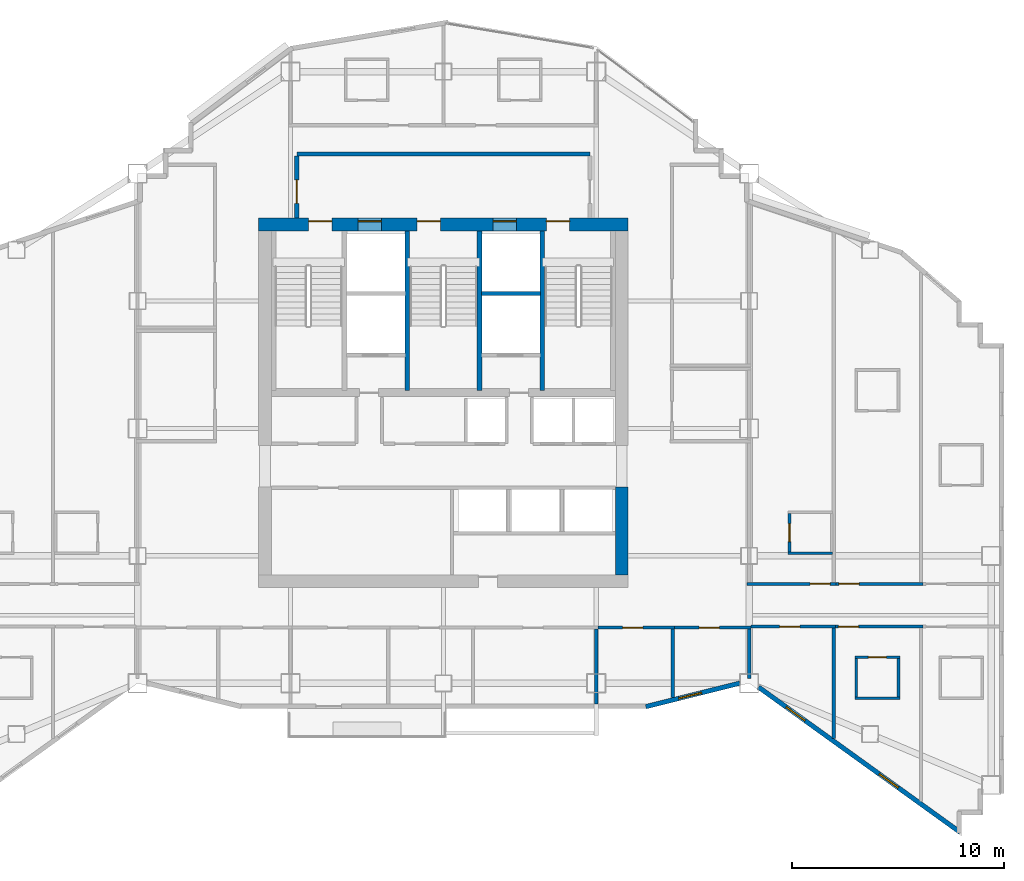
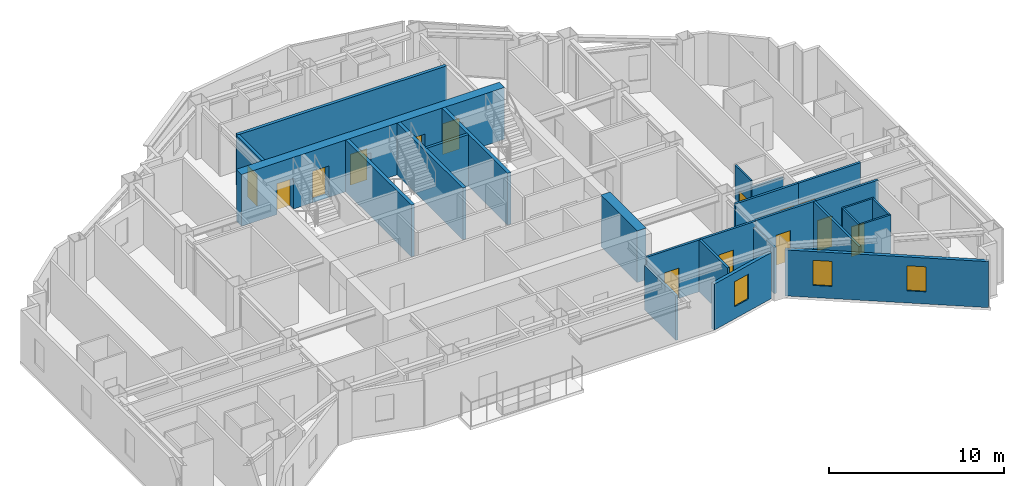
# One storey, part 7 of 12: 26 walls, 14 doors, 3 windows, 17 openings.
"""IFC4 building model written with IfcOpenShell, lengths in metres."""

from ifc_helpers import new_model, si_unit, direction, frame, frame_2d, origin, place, context, subcontext, project, spatial, rectangle, extrude, material, layer, layer_set, type_object, element, fill, save


model = new_model("IFC4")

# Units and contexts
model_context = context("Model", 3, precision=1e-05, world=origin(), true_north=direction((0.0, 1.0)))
body_context = subcontext(model_context, "Body", "Model", "MODEL_VIEW")
ifc_project = project(units=[si_unit("LENGTHUNIT", "METRE"), si_unit("AREAUNIT", "SQUARE_METRE"), si_unit("VOLUMEUNIT", "CUBIC_METRE"), si_unit("PLANEANGLEUNIT", "RADIAN"), si_unit("MASSUNIT", "GRAM", prefix="KILO")], contexts=[model_context])

# Site, building, storey
site_placement = place(None, origin())
site = spatial("IfcSite", under=ifc_project, at=site_placement, CompositionType="ELEMENT")
building_placement = place(site_placement, origin())
building = spatial("IfcBuilding", under=site, at=building_placement, Name="Haolan Belvedere Tower", CompositionType="ELEMENT")
storey_placement = place(building_placement, frame((0.0, 0.0, 195.60009765625)))
storey = spatial("IfcBuildingStorey", under=building, at=storey_placement, Name="L49", CompositionType="ELEMENT", Elevation=195.60009765625)

# Wall, openings, doors
ifc_material_1 = material(Name="Concrete C60/75", Category="concrete")
ifc_layer_1 = layer(ifc_material_1, 0.60009765625, Name="Concrete C60/75")
ifc_layer_set_1 = layer_set([ifc_layer_1], Name="Concrete C60/75")
wall_type_1 = type_object("IfcWallType", Name="WL-CORE-600", PredefinedType="SHEAR", material=ifc_layer_set_1)
wall_1_placement = place(storey_placement, frame((29.699951171875, 43.199951171875, 0.0), z_axis=(0.0, 0.0, 1.0), x_axis=(1.0, 0.0, 0.0)))
wall_1 = element("IfcWall", 1, at=wall_1_placement, inside=storey, type_object=wall_type_1, Name="L49 central core north shear wall", PredefinedType="SHEAR", context=body_context, shape_type="SweptSolid", body=[
    extrude(rectangle(XDim=17.400146484375, YDim=0.60009765625, at=frame_2d((8.7001953125, 0.0))), origin(), (0.0, 0.0, 1.0), 3.619873046875),
])
opening_1_placement = place(wall_1_placement, frame((2.35009765625, 0.0, 0.0)))
opening_1 = element("IfcOpeningElement", 2, at=opening_1_placement, cuts=wall_1, Name="Opening FD-03", PredefinedType="OPENING", context=body_context, shape_type="SweptSolid", body=[
    extrude(rectangle(XDim=1.10009765625, YDim=2.14990234375, at=frame_2d((0.550048828125, 1.074951171875))), frame((0.0, 0.31005859375, 0.0), z_axis=(0.0, -1.0, 0.0), x_axis=(1.0, 0.0, 0.0)), (0.0, 0.0, 1.0), 0.6201171875),
])
opening_2_placement = place(wall_1_placement, frame((7.4599609375, 0.0, 0.0)))
opening_2 = element("IfcOpeningElement", 3, at=opening_2_placement, cuts=wall_1, Name="Opening FD-03", PredefinedType="OPENING", context=body_context, shape_type="SweptSolid", body=[
    extrude(rectangle(XDim=1.10009765625, YDim=2.14990234375, at=frame_2d((0.550048828125, 1.074951171875))), frame((0.0, 0.31005859375, 0.0), z_axis=(0.0, -1.0, 0.0), x_axis=(1.0, 0.0, 0.0)), (0.0, 0.0, 1.0), 0.6201171875),
])
opening_3_placement = place(wall_1_placement, frame((13.550048828125, 0.0, 0.0)))
opening_3 = element("IfcOpeningElement", 4, at=opening_3_placement, cuts=wall_1, Name="Opening FD-03", PredefinedType="OPENING", context=body_context, shape_type="SweptSolid", body=[
    extrude(rectangle(XDim=1.10009765625, YDim=2.14990234375, at=frame_2d((0.550048828125, 1.074951171875))), frame((0.0, 0.31005859375, 0.0), z_axis=(0.0, -1.0, 0.0), x_axis=(1.0, 0.0, 0.0)), (0.0, 0.0, 1.0), 0.6201171875),
])
opening_4_placement = place(wall_1_placement, frame((4.679931640625, 0.0, 0.0)))
opening_4 = element("IfcOpeningElement", 5, at=opening_4_placement, cuts=wall_1, Name="Opening LD-01", PredefinedType="OPENING", context=body_context, shape_type="SweptSolid", body=[
    extrude(rectangle(XDim=1.10009765625, YDim=2.199951171875, at=frame_2d((0.550048828125, 1.10009765625))), frame((0.0, 0.31005859375, 0.0), z_axis=(0.0, -1.0, 0.0), x_axis=(1.0, 0.0, 0.0)), (0.0, 0.0, 1.0), 0.6201171875),
])
opening_5_placement = place(wall_1_placement, frame((11.0400390625, 0.0, 0.0)))
opening_5 = element("IfcOpeningElement", 6, at=opening_5_placement, cuts=wall_1, Name="Opening LD-01", PredefinedType="OPENING", context=body_context, shape_type="SweptSolid", body=[
    extrude(rectangle(XDim=1.10009765625, YDim=2.199951171875, at=frame_2d((0.550048828125, 1.10009765625))), frame((0.0, 0.31005859375, 0.0), z_axis=(0.0, -1.0, 0.0), x_axis=(1.0, 0.0, 0.0)), (0.0, 0.0, 1.0), 0.6201171875),
])
ifc_material_2 = material(Name="Galvanised fire-rated steel", Category="steel")
door_type_1 = type_object("IfcDoorType", Name="DR-FD90-1100", OperationType="NOTDEFINED", PredefinedType="DOOR", material=ifc_material_2)
door_1_placement = place(opening_1_placement, origin())
door_1 = element("IfcDoor", 7, at=door_1_placement, inside=storey, type_object=door_type_1, Name="L49 door CD-L49-ST1", OperationType="SINGLE_SWING_LEFT", OverallHeight=2.14990234375, OverallWidth=1.10009765625, PredefinedType="DOOR", context=body_context, shape_type="SweptSolid", body=[
    extrude(rectangle(XDim=1.10009765625, YDim=2.14990234375, at=frame_2d((0.550048828125, 1.074951171875))), frame((0.0, 0.18505859375, 0.0), z_axis=(0.0, -1.0, 0.0), x_axis=(1.0, 0.0, 0.0)), (0.0, 0.0, 1.0), 0.050048828125),
])
fill(opening_1, door_1)
door_2_placement = place(opening_2_placement, origin())
door_2 = element("IfcDoor", 8, at=door_2_placement, inside=storey, type_object=door_type_1, Name="L49 door CD-L49-ST3", OperationType="SINGLE_SWING_LEFT", OverallHeight=2.14990234375, OverallWidth=1.10009765625, PredefinedType="DOOR", context=body_context, shape_type="SweptSolid", body=[
    extrude(rectangle(XDim=1.10009765625, YDim=2.14990234375, at=frame_2d((0.550048828125, 1.074951171875))), frame((0.0, 0.18505859375, 0.0), z_axis=(0.0, -1.0, 0.0), x_axis=(1.0, 0.0, 0.0)), (0.0, 0.0, 1.0), 0.050048828125),
])
fill(opening_2, door_2)
door_3_placement = place(opening_3_placement, origin())
door_3 = element("IfcDoor", 9, at=door_3_placement, inside=storey, type_object=door_type_1, Name="L49 door CD-L49-ST2", OperationType="SINGLE_SWING_RIGHT", OverallHeight=2.14990234375, OverallWidth=1.10009765625, PredefinedType="DOOR", context=body_context, shape_type="SweptSolid", body=[
    extrude(rectangle(XDim=1.10009765625, YDim=2.14990234375, at=frame_2d((0.550048828125, 1.074951171875))), frame((0.0, 0.18505859375, 0.0), z_axis=(0.0, -1.0, 0.0), x_axis=(1.0, 0.0, 0.0)), (0.0, 0.0, 1.0), 0.050048828125),
])
fill(opening_3, door_3)
ifc_material_3 = material(Name="Brushed champagne stainless steel 316L", Category="steel")
door_type_2 = type_object("IfcDoorType", Name="DR-LIFT-1100", OperationType="SLIDING_TO_LEFT", PredefinedType="DOOR", material=ifc_material_3)
door_4_placement = place(opening_4_placement, origin())
door_4 = element("IfcDoor", 10, at=door_4_placement, inside=storey, type_object=door_type_2, Name="L49 door LD-L49-FF1", OperationType="SLIDING_TO_LEFT", OverallHeight=2.199951171875, OverallWidth=1.10009765625, PredefinedType="DOOR", context=body_context, shape_type="SweptSolid", body=[
    extrude(rectangle(XDim=1.10009765625, YDim=2.199951171875, at=frame_2d((0.550048828125, 1.10009765625))), frame((0.0, 0.18505859375, 0.0), z_axis=(0.0, -1.0, 0.0), x_axis=(1.0, 0.0, 0.0)), (0.0, 0.0, 1.0), 0.050048828125),
])
fill(opening_4, door_4)
door_5_placement = place(opening_5_placement, origin())
door_5 = element("IfcDoor", 11, at=door_5_placement, inside=storey, type_object=door_type_2, Name="L49 door LD-L49-FF2", OperationType="SLIDING_TO_LEFT", OverallHeight=2.199951171875, OverallWidth=1.10009765625, PredefinedType="DOOR", context=body_context, shape_type="SweptSolid", body=[
    extrude(rectangle(XDim=1.10009765625, YDim=2.199951171875, at=frame_2d((0.550048828125, 1.10009765625))), frame((0.0, 0.18505859375, 0.0), z_axis=(0.0, -1.0, 0.0), x_axis=(1.0, 0.0, 0.0)), (0.0, 0.0, 1.0), 0.050048828125),
])
fill(opening_5, door_5)

# Wall
wall_2_placement = place(storey_placement, frame((46.800048828125, 26.699951171875, 0.0), z_axis=(0.0, 0.0, 1.0), x_axis=(0.0, 1.0, 0.0)))
element("IfcWall", 12, at=wall_2_placement, inside=storey, type_object=wall_type_1, Name="L49 central core shear wall ES", PredefinedType="SHEAR", context=body_context, shape_type="SweptSolid", body=[
    extrude(rectangle(XDim=4.150146484375, YDim=0.60009765625, at=frame_2d((2.0751953125, 0.0))), origin(), (0.0, 0.0, 1.0), 3.619873046875),
])

# Wall, opening, window
ifc_material_4 = material(Name="Precast concrete C40/50", Category="concrete")
ifc_layer_2 = layer(ifc_material_4, 0.219970703125, Name="Precast concrete C40/50")
ifc_layer_set_2 = layer_set([ifc_layer_2], Name="Precast concrete C40/50")
wall_type_2 = type_object("IfcWallType", Name="WL-EXT-220", PredefinedType="SOLIDWALL", material=ifc_layer_set_2)
wall_3_placement = place(storey_placement, frame((47.93310546875, 20.49658203125, 0.0), z_axis=(0.0, 0.0, 1.0), x_axis=(0.970142500145, 0.242535625036, 0.0)))
wall_3 = element("IfcWall", 13, at=wall_3_placement, inside=storey, type_object=wall_type_2, Name="L49 pale-metal exterior spandrel wall 2.1", PredefinedType="SOLIDWALL", context=body_context, shape_type="SweptSolid", body=[
    extrude(rectangle(XDim=4.56103515625, YDim=0.219970703125, at=frame_2d((2.280517578125, 0.0))), origin(), (0.0, 0.0, 1.0), 3.21484375),
])
opening_6_placement = place(wall_3_placement, frame((1.60009765625, 0.0, 0.85009765625)))
opening_6 = element("IfcOpeningElement", 14, at=opening_6_placement, cuts=wall_3, Name="Opening W-03", PredefinedType="OPENING", context=body_context, shape_type="SweptSolid", body=[
    extrude(rectangle(XDim=1.10009765625, YDim=1.75, at=frame_2d((0.550048828125, 0.875))), frame((0.0, 0.119873046875, 0.0), z_axis=(0.0, -1.0, 0.0), x_axis=(1.0, 0.0, 0.0)), (0.0, 0.0, 1.0), 0.239990234375),
])
ifc_material_5 = material(Name="Anodised aluminium 6063-T6 and Low-E glass", Category="aluminium")
window_type = type_object("IfcWindowType", Name="WN-DECO-Z3", PartitioningType="SINGLE_PANEL", PredefinedType="WINDOW", material=ifc_material_5)
window_1_placement = place(opening_6_placement, origin())
window_1 = element("IfcWindow", 15, at=window_1_placement, inside=storey, type_object=window_type, Name="L49 Art Deco chevron window 1", OverallHeight=1.75, OverallWidth=1.10009765625, PartitioningType="SINGLE_PANEL", PredefinedType="WINDOW", context=body_context, shape_type="SweptSolid", body=[
    extrude(rectangle(XDim=1.10009765625, YDim=1.75, at=frame_2d((0.550048828125, 0.875))), frame((0.0, 0.030029296875, 0.0), z_axis=(0.0, -1.0, 0.0), x_axis=(1.0, 0.0, 0.0)), (0.0, 0.0, 1.0), 0.06005859375),
])
fill(opening_6, window_1)

# Wall, openings, windows
wall_4_placement = place(storey_placement, frame((53.241943359375, 21.417236328125, 0.0), z_axis=(0.0, 0.0, 1.0), x_axis=(0.811534737332, -0.58430417601, 0.0)))
wall_4 = element("IfcWall", 16, at=wall_4_placement, inside=storey, type_object=wall_type_2, Name="L49 pale-metal exterior spandrel wall 3.1", PredefinedType="SOLIDWALL", context=body_context, shape_type="SweptSolid", body=[
    extrude(rectangle(XDim=11.697265625, YDim=0.219970703125, at=frame_2d((5.8486328125, 0.0))), origin(), (0.0, 0.0, 1.0), 3.21484375),
])
opening_7_placement = place(wall_4_placement, frame((1.60009765625, 0.0, 0.85009765625)))
opening_7 = element("IfcOpeningElement", 17, at=opening_7_placement, cuts=wall_4, Name="Opening W-03", PredefinedType="OPENING", context=body_context, shape_type="SweptSolid", body=[
    extrude(rectangle(XDim=1.10009765625, YDim=1.75, at=frame_2d((0.550048828125, 0.875))), frame((0.0, 0.119873046875, 0.0), z_axis=(0.0, -1.0, 0.0), x_axis=(1.0, 0.0, 0.0)), (0.0, 0.0, 1.0), 0.239990234375),
])
opening_8_placement = place(wall_4_placement, frame((7.0, 0.0, 0.85009765625)))
opening_8 = element("IfcOpeningElement", 18, at=opening_8_placement, cuts=wall_4, Name="Opening W-03", PredefinedType="OPENING", context=body_context, shape_type="SweptSolid", body=[
    extrude(rectangle(XDim=1.10009765625, YDim=1.75, at=frame_2d((0.550048828125, 0.875))), frame((0.0, 0.119873046875, 0.0), z_axis=(0.0, -1.0, 0.0), x_axis=(1.0, 0.0, 0.0)), (0.0, 0.0, 1.0), 0.239990234375),
])
window_2_placement = place(opening_7_placement, origin())
window_2 = element("IfcWindow", 19, at=window_2_placement, inside=storey, type_object=window_type, Name="L49 Art Deco chevron window 1", OverallHeight=1.75, OverallWidth=1.10009765625, PartitioningType="SINGLE_PANEL", PredefinedType="WINDOW", context=body_context, shape_type="SweptSolid", body=[
    extrude(rectangle(XDim=1.10009765625, YDim=1.75, at=frame_2d((0.550048828125, 0.875))), frame((0.0, 0.030029296875, 0.0), z_axis=(0.0, -1.0, 0.0), x_axis=(1.0, 0.0, 0.0)), (0.0, 0.0, 1.0), 0.06005859375),
])
fill(opening_7, window_2)
window_3_placement = place(opening_8_placement, origin())
window_3 = element("IfcWindow", 20, at=window_3_placement, inside=storey, type_object=window_type, Name="L49 Art Deco chevron window 2", OverallHeight=1.75, OverallWidth=1.10009765625, PartitioningType="SINGLE_PANEL", PredefinedType="WINDOW", context=body_context, shape_type="SweptSolid", body=[
    extrude(rectangle(XDim=1.10009765625, YDim=1.75, at=frame_2d((0.550048828125, 0.875))), frame((0.0, 0.030029296875, 0.0), z_axis=(0.0, -1.0, 0.0), x_axis=(1.0, 0.0, 0.0)), (0.0, 0.0, 1.0), 0.06005859375),
])
fill(opening_8, window_3)

# Wall
ifc_material_6 = material(Name="Concrete C40/50", Category="concrete")
ifc_layer_3 = layer(ifc_material_6, 0.199951171875, Name="Concrete C40/50")
ifc_layer_set_3 = layer_set([ifc_layer_3], Name="Concrete C40/50")
wall_type_3 = type_object("IfcWallType", Name="WL-FIRE-200", PredefinedType="SOLIDWALL", material=ifc_layer_set_3)
wall_5_placement = place(storey_placement, frame((31.5, 46.52001953125, 0.0), z_axis=(0.0, 0.0, 1.0), x_axis=(1.0, 0.0, 0.0)))
element("IfcWall", 21, at=wall_5_placement, inside=storey, type_object=wall_type_3, Name="L49 interior partition IW-L49-FFL-N", PredefinedType="SOLIDWALL", context=body_context, shape_type="SweptSolid", body=[
    extrude(rectangle(XDim=13.800048828125, YDim=0.199951171875, at=frame_2d((6.89990234375, 0.0))), origin(), (0.0, 0.0, 1.0), 3.619873046875),
])

# Wall, opening, door
wall_6_placement = place(storey_placement, frame((31.5, 43.5, 0.0), z_axis=(0.0, 0.0, 1.0), x_axis=(0.0, 1.0, 0.0)))
wall_6 = element("IfcWall", 22, at=wall_6_placement, inside=storey, type_object=wall_type_3, Name="L49 interior partition IW-L49-FFL-W", PredefinedType="SOLIDWALL", context=body_context, shape_type="SweptSolid", body=[
    extrude(rectangle(XDim=2.93505859375, YDim=0.199951171875, at=frame_2d((1.467529296875, 0.0))), origin(), (0.0, 0.0, 1.0), 3.619873046875),
])
opening_9_placement = place(wall_6_placement, frame((1.800048828125, 0.0, 0.0), z_axis=(0.0, 0.0, 1.0), x_axis=(-1.0, 0.0, 0.0)))
opening_9 = element("IfcOpeningElement", 23, at=opening_9_placement, cuts=wall_6, Name="Opening FD-03", PredefinedType="OPENING", context=body_context, shape_type="SweptSolid", body=[
    extrude(rectangle(XDim=1.10009765625, YDim=2.14990234375, at=frame_2d((0.550048828125, 1.074951171875))), frame((0.0, 0.10986328125, 0.0), z_axis=(0.0, -1.0, 0.0), x_axis=(1.0, 0.0, 0.0)), (0.0, 0.0, 1.0), 0.219970703125),
])
door_6_placement = place(opening_9_placement, origin())
door_6 = element("IfcDoor", 24, at=door_6_placement, inside=storey, type_object=door_type_1, Name="L49 door ID-L49-FFL-DW", OperationType="SINGLE_SWING_LEFT", OverallHeight=2.14990234375, OverallWidth=1.10009765625, PredefinedType="DOOR", context=body_context, shape_type="SweptSolid", body=[
    extrude(rectangle(XDim=1.10009765625, YDim=2.14990234375, at=frame_2d((0.550048828125, 1.074951171875))), frame((0.0, 0.02490234375, 0.0), z_axis=(0.0, -1.0, 0.0), x_axis=(1.0, 0.0, 0.0)), (0.0, 0.0, 1.0), 0.050048828125),
])
fill(opening_9, door_6)

# Wall
ifc_material_7 = material(Name="Double gypsum acoustic stud partition", Category="masonry")
ifc_layer_4 = layer(ifc_material_7, 0.14990234375, Name="Double gypsum acoustic stud partition")
ifc_layer_set_4 = layer_set([ifc_layer_4], Name="Double gypsum acoustic stud partition")
wall_type_4 = type_object("IfcWallType", Name="WL-PART-150", PredefinedType="PARTITIONING", material=ifc_layer_set_4)
wall_7_placement = place(storey_placement, frame((45.60009765625, 20.612060546875, 0.0), z_axis=(0.0, 0.0, 1.0), x_axis=(0.0, 1.0, 0.0)))
element("IfcWall", 25, at=wall_7_placement, inside=storey, type_object=wall_type_4, Name="L49 interior partition IW-L49-KS5-E", PredefinedType="PARTITIONING", context=body_context, shape_type="SweptSolid", body=[
    extrude(rectangle(XDim=3.5478515625, YDim=0.14990234375, at=frame_2d((1.77392578125, 0.0))), origin(), (0.0, 0.0, 1.0), 3.10498046875),
])

# Wall, opening, door
wall_8_placement = place(storey_placement, frame((45.681884765625, 24.219970703125, 0.0), z_axis=(0.0, 0.0, 1.0), x_axis=(1.0, 0.0, 0.0)))
wall_8 = element("IfcWall", 26, at=wall_8_placement, inside=storey, type_object=wall_type_4, Name="L49 interior partition IW-L49-KS6-N", PredefinedType="PARTITIONING", context=body_context, shape_type="SweptSolid", body=[
    extrude(rectangle(XDim=3.59814453125, YDim=0.14990234375, at=frame_2d((1.799072265625, 0.0))), origin(), (0.0, 0.0, 1.0), 3.619873046875),
])
opening_10_placement = place(wall_8_placement, frame((2.113037109375, 0.0, 0.0), z_axis=(0.0, 0.0, 1.0), x_axis=(-1.0, 0.0, 0.0)))
opening_10 = element("IfcOpeningElement", 27, at=opening_10_placement, cuts=wall_8, Name="Opening ID-03", PredefinedType="OPENING", context=body_context, shape_type="SweptSolid", body=[
    extrude(rectangle(XDim=0.949951171875, YDim=2.1201171875, at=frame_2d((0.47509765625, 1.06005859375))), frame((0.0, 0.0849609375, 0.0), z_axis=(0.0, -1.0, 0.0), x_axis=(1.0, 0.0, 0.0)), (0.0, 0.0, 1.0), 0.169921875),
])
ifc_material_8 = material(Name="Painted solid-core timber", Category="wood")
door_type_3 = type_object("IfcDoorType", Name="DR-INT-950", OperationType="NOTDEFINED", PredefinedType="DOOR", material=ifc_material_8)
door_7_placement = place(opening_10_placement, origin())
door_7 = element("IfcDoor", 28, at=door_7_placement, inside=storey, type_object=door_type_3, Name="L49 door ID-L49-KS6", OperationType="SINGLE_SWING_RIGHT", OverallHeight=2.1201171875, OverallWidth=0.949951171875, PredefinedType="DOOR", context=body_context, shape_type="SweptSolid", body=[
    extrude(rectangle(XDim=0.949951171875, YDim=2.1201171875, at=frame_2d((0.47509765625, 1.06005859375))), frame((0.0, 0.02490234375, 0.0), z_axis=(0.0, -1.0, 0.0), x_axis=(1.0, 0.0, 0.0)), (0.0, 0.0, 1.0), 0.050048828125),
])
fill(opening_10, door_7)

# Wall
wall_9_placement = place(storey_placement, frame((49.199951171875, 20.91845703125, 0.0), z_axis=(0.0, 0.0, 1.0), x_axis=(0.0, 1.0, 0.0)))
element("IfcWall", 29, at=wall_9_placement, inside=storey, type_object=wall_type_4, Name="L49 interior partition IW-L49-KS6-E", PredefinedType="PARTITIONING", context=body_context, shape_type="SweptSolid", body=[
    extrude(rectangle(XDim=3.241455078125, YDim=0.14990234375, at=frame_2d((1.62060546875, 0.0))), origin(), (0.0, 0.0, 1.0), 3.619873046875),
])

# Wall, opening, door
wall_10_placement = place(storey_placement, frame((49.281982421875, 24.219970703125, 0.0), z_axis=(0.0, 0.0, 1.0), x_axis=(1.0, 0.0, 0.0)))
wall_10 = element("IfcWall", 30, at=wall_10_placement, inside=storey, type_object=wall_type_4, Name="L49 interior partition IW-L49-KS7-N", PredefinedType="PARTITIONING", context=body_context, shape_type="SweptSolid", body=[
    extrude(rectangle(XDim=3.597900390625, YDim=0.14990234375, at=frame_2d((1.798828125, 0.0))), origin(), (0.0, 0.0, 1.0), 3.619873046875),
])
opening_11_placement = place(wall_10_placement, frame((2.113037109375, 0.0, 0.0), z_axis=(0.0, 0.0, 1.0), x_axis=(-1.0, 0.0, 0.0)))
opening_11 = element("IfcOpeningElement", 31, at=opening_11_placement, cuts=wall_10, Name="Opening ID-03", PredefinedType="OPENING", context=body_context, shape_type="SweptSolid", body=[
    extrude(rectangle(XDim=0.949951171875, YDim=2.1201171875, at=frame_2d((0.47509765625, 1.06005859375))), frame((0.0, 0.0849609375, 0.0), z_axis=(0.0, -1.0, 0.0), x_axis=(1.0, 0.0, 0.0)), (0.0, 0.0, 1.0), 0.169921875),
])
door_8_placement = place(opening_11_placement, origin())
door_8 = element("IfcDoor", 32, at=door_8_placement, inside=storey, type_object=door_type_3, Name="L49 door ID-L49-KS7", OperationType="SINGLE_SWING_LEFT", OverallHeight=2.1201171875, OverallWidth=0.949951171875, PredefinedType="DOOR", context=body_context, shape_type="SweptSolid", body=[
    extrude(rectangle(XDim=0.949951171875, YDim=2.1201171875, at=frame_2d((0.47509765625, 1.06005859375))), frame((0.0, 0.02490234375, 0.0), z_axis=(0.0, -1.0, 0.0), x_axis=(1.0, 0.0, 0.0)), (0.0, 0.0, 1.0), 0.050048828125),
])
fill(opening_11, door_8)

# Wall
wall_11_placement = place(storey_placement, frame((52.800048828125, 21.818603515625, 0.0), z_axis=(0.0, 0.0, 1.0), x_axis=(0.0, 1.0, 0.0)))
element("IfcWall", 33, at=wall_11_placement, inside=storey, type_object=wall_type_4, Name="L49 interior partition IW-L49-KS7-E", PredefinedType="PARTITIONING", context=body_context, shape_type="SweptSolid", body=[
    extrude(rectangle(XDim=2.34130859375, YDim=0.14990234375, at=frame_2d((1.170654296875, 0.0))), origin(), (0.0, 0.0, 1.0), 3.21484375),
])

# Wall, opening, door
wall_12_placement = place(storey_placement, frame((52.699951171875, 26.280029296875, 0.0), z_axis=(0.0, 0.0, 1.0), x_axis=(1.0, 0.0, 0.0)))
wall_12 = element("IfcWall", 34, at=wall_12_placement, inside=storey, type_object=wall_type_4, Name="L49 interior partition IW-L49-T4N1-S", PredefinedType="PARTITIONING", context=body_context, shape_type="SweptSolid", body=[
    extrude(rectangle(XDim=4.179931640625, YDim=0.14990234375, at=frame_2d((2.08984375, 0.0))), origin(), (0.0, 0.0, 1.0), 3.619873046875),
])
opening_12_placement = place(wall_12_placement, frame((2.966064453125, 0.0, 0.0)))
opening_12 = element("IfcOpeningElement", 35, at=opening_12_placement, cuts=wall_12, Name="Opening ID-01", PredefinedType="OPENING", context=body_context, shape_type="SweptSolid", body=[
    extrude(rectangle(XDim=0.949951171875, YDim=2.179931640625, at=frame_2d((0.47509765625, 1.08984375))), frame((0.0, 0.0849609375, 0.0), z_axis=(0.0, -1.0, 0.0), x_axis=(1.0, 0.0, 0.0)), (0.0, 0.0, 1.0), 0.169921875),
])
ifc_material_9 = material(Name="Acoustic walnut veneer fire-rated timber", Category="wood")
door_type_4 = type_object("IfcDoorType", Name="DR-SUITE-950", OperationType="NOTDEFINED", PredefinedType="DOOR", material=ifc_material_9)
door_9_placement = place(opening_12_placement, origin())
door_9 = element("IfcDoor", 36, at=door_9_placement, inside=storey, type_object=door_type_4, Name="L49 door ID-L49-T4N1-ENT", OperationType="SINGLE_SWING_RIGHT", OverallHeight=2.179931640625, OverallWidth=0.949951171875, PredefinedType="DOOR", context=body_context, shape_type="SweptSolid", body=[
    extrude(rectangle(XDim=0.949951171875, YDim=2.179931640625, at=frame_2d((0.47509765625, 1.08984375))), frame((0.0, 0.02490234375, 0.0), z_axis=(0.0, -1.0, 0.0), x_axis=(1.0, 0.0, 0.0)), (0.0, 0.0, 1.0), 0.050048828125),
])
fill(opening_12, door_9)

wall_13_placement = place(storey_placement, frame((56.882080078125, 26.280029296875, 0.0), z_axis=(0.0, 0.0, 1.0), x_axis=(1.0, 0.0, 0.0)))
wall_13 = element("IfcWall", 37, at=wall_13_placement, inside=storey, type_object=wall_type_4, Name="L49 interior partition IW-L49-T4N2-S", PredefinedType="PARTITIONING", context=body_context, shape_type="SweptSolid", body=[
    extrude(rectangle(XDim=4.10791015625, YDim=0.14990234375, at=frame_2d((2.053955078125, 0.0))), origin(), (0.0, 0.0, 1.0), 3.619873046875),
])
opening_13_placement = place(wall_13_placement, frame((0.139892578125, 0.0, 0.0)))
opening_13 = element("IfcOpeningElement", 38, at=opening_13_placement, cuts=wall_13, Name="Opening ID-01", PredefinedType="OPENING", context=body_context, shape_type="SweptSolid", body=[
    extrude(rectangle(XDim=0.949951171875, YDim=2.179931640625, at=frame_2d((0.47509765625, 1.08984375))), frame((0.0, 0.0849609375, 0.0), z_axis=(0.0, -1.0, 0.0), x_axis=(1.0, 0.0, 0.0)), (0.0, 0.0, 1.0), 0.169921875),
])
door_10_placement = place(opening_13_placement, origin())
door_10 = element("IfcDoor", 39, at=door_10_placement, inside=storey, type_object=door_type_4, Name="L49 door ID-L49-T4N2-ENT", OperationType="SINGLE_SWING_LEFT", OverallHeight=2.179931640625, OverallWidth=0.949951171875, PredefinedType="DOOR", context=body_context, shape_type="SweptSolid", body=[
    extrude(rectangle(XDim=0.949951171875, YDim=2.179931640625, at=frame_2d((0.47509765625, 1.08984375))), frame((0.0, 0.02490234375, 0.0), z_axis=(0.0, -1.0, 0.0), x_axis=(1.0, 0.0, 0.0)), (0.0, 0.0, 1.0), 0.050048828125),
])
fill(opening_13, door_10)

wall_14_placement = place(storey_placement, frame((52.882080078125, 24.27001953125, 0.0), z_axis=(0.0, 0.0, 1.0), x_axis=(1.0, 0.0, 0.0)))
wall_14 = element("IfcWall", 40, at=wall_14_placement, inside=storey, type_object=wall_type_4, Name="L49 interior partition IW-L49-T4S1-N", PredefinedType="PARTITIONING", context=body_context, shape_type="SweptSolid", body=[
    extrude(rectangle(XDim=3.97802734375, YDim=0.14990234375, at=frame_2d((1.989013671875, 0.0))), origin(), (0.0, 0.0, 1.0), 3.619873046875),
])
opening_14_placement = place(wall_14_placement, frame((2.302978515625, 0.0, 0.0), z_axis=(0.0, 0.0, 1.0), x_axis=(-1.0, 0.0, 0.0)))
opening_14 = element("IfcOpeningElement", 41, at=opening_14_placement, cuts=wall_14, Name="Opening ID-03", PredefinedType="OPENING", context=body_context, shape_type="SweptSolid", body=[
    extrude(rectangle(XDim=0.949951171875, YDim=2.1201171875, at=frame_2d((0.47509765625, 1.06005859375))), frame((0.0, 0.0849609375, 0.0), z_axis=(0.0, -1.0, 0.0), x_axis=(1.0, 0.0, 0.0)), (0.0, 0.0, 1.0), 0.169921875),
])
door_11_placement = place(opening_14_placement, origin())
door_11 = element("IfcDoor", 42, at=door_11_placement, inside=storey, type_object=door_type_3, Name="L49 door ID-L49-T4S1", OperationType="SINGLE_SWING_LEFT", OverallHeight=2.1201171875, OverallWidth=0.949951171875, PredefinedType="DOOR", context=body_context, shape_type="SweptSolid", body=[
    extrude(rectangle(XDim=0.949951171875, YDim=2.1201171875, at=frame_2d((0.47509765625, 1.06005859375))), frame((0.0, 0.02490234375, 0.0), z_axis=(0.0, -1.0, 0.0), x_axis=(1.0, 0.0, 0.0)), (0.0, 0.0, 1.0), 0.050048828125),
])
fill(opening_14, door_11)

# Wall
wall_15_placement = place(storey_placement, frame((56.780029296875, 18.99560546875, 0.0), z_axis=(0.0, 0.0, 1.0), x_axis=(0.0, 1.0, 0.0)))
element("IfcWall", 43, at=wall_15_placement, inside=storey, type_object=wall_type_4, Name="L49 interior partition IW-L49-T4S1-E", PredefinedType="PARTITIONING", context=body_context, shape_type="SweptSolid", body=[
    extrude(rectangle(XDim=5.21435546875, YDim=0.14990234375, at=frame_2d((2.607177734375, 0.0))), origin(), (0.0, 0.0, 1.0), 3.619873046875),
])

# Wall, opening, door
wall_16_placement = place(storey_placement, frame((56.862060546875, 24.27001953125, 0.0), z_axis=(0.0, 0.0, 1.0), x_axis=(1.0, 0.0, 0.0)))
wall_16 = element("IfcWall", 44, at=wall_16_placement, inside=storey, type_object=wall_type_4, Name="L49 interior partition IW-L49-T4S2-N", PredefinedType="PARTITIONING", context=body_context, shape_type="SweptSolid", body=[
    extrude(rectangle(XDim=4.1279296875, YDim=0.14990234375, at=frame_2d((2.06396484375, 0.0))), origin(), (0.0, 0.0, 1.0), 3.619873046875),
])
opening_15_placement = place(wall_16_placement, frame((1.08984375, 0.0, 0.0), z_axis=(0.0, 0.0, 1.0), x_axis=(-1.0, 0.0, 0.0)))
opening_15 = element("IfcOpeningElement", 45, at=opening_15_placement, cuts=wall_16, Name="Opening ID-02", PredefinedType="OPENING", context=body_context, shape_type="SweptSolid", body=[
    extrude(rectangle(XDim=0.949951171875, YDim=2.14990234375, at=frame_2d((0.47509765625, 1.074951171875))), frame((0.0, 0.0849609375, 0.0), z_axis=(0.0, -1.0, 0.0), x_axis=(1.0, 0.0, 0.0)), (0.0, 0.0, 1.0), 0.169921875),
])
ifc_material_10 = material(Name="Acoustic oak veneer fire-rated timber", Category="wood")
door_type_5 = type_object("IfcDoorType", Name="DR-GUEST-950", OperationType="NOTDEFINED", PredefinedType="DOOR", material=ifc_material_10)
door_12_placement = place(opening_15_placement, origin())
door_12 = element("IfcDoor", 46, at=door_12_placement, inside=storey, type_object=door_type_5, Name="L49 door ID-L49-T4S2-ENT", OperationType="SINGLE_SWING_RIGHT", OverallHeight=2.14990234375, OverallWidth=0.949951171875, PredefinedType="DOOR", context=body_context, shape_type="SweptSolid", body=[
    extrude(rectangle(XDim=0.949951171875, YDim=2.14990234375, at=frame_2d((0.47509765625, 1.074951171875))), frame((0.0, 0.02490234375, 0.0), z_axis=(0.0, -1.0, 0.0), x_axis=(1.0, 0.0, 0.0)), (0.0, 0.0, 1.0), 0.050048828125),
])
fill(opening_15, door_12)

# Walls
ifc_layer_5 = layer(ifc_material_4, 0.179931640625, Name="Precast concrete C40/50")
ifc_layer_set_5 = layer_set([ifc_layer_5], Name="Precast concrete C40/50")
wall_type_5 = type_object("IfcWallType", Name="WL-SHAFT-180", PredefinedType="SOLIDWALL", material=ifc_layer_set_5)
wall_17_placement = place(storey_placement, frame((40.195068359375, 39.949951171875, 0.0), z_axis=(0.0, 0.0, 1.0), x_axis=(1.0, 0.0, 0.0)))
element("IfcWall", 47, at=wall_17_placement, inside=storey, type_object=wall_type_5, Name="L49 interior partition IW-L49-FF2-S", PredefinedType="SOLIDWALL", context=body_context, shape_type="SweptSolid", body=[
    extrude(rectangle(XDim=2.77001953125, YDim=0.179931640625, at=frame_2d((1.385009765625, 0.0))), origin(), (0.0, 0.0, 1.0), 3.619873046875),
])
ifc_material_11 = material(Name="Concrete C50/60", Category="concrete")
ifc_layer_6 = layer(ifc_material_11, 0.219970703125, Name="Concrete C50/60")
ifc_layer_set_6 = layer_set([ifc_layer_6], Name="Concrete C50/60")
wall_type_6 = type_object("IfcWallType", Name="WL-STAIR-220", PredefinedType="SHEAR", material=ifc_layer_set_6)
for number, where, z_axis, x_axis, name in (
    (48, (36.699951171875, 35.389892578125, 0.0), (0.0, 0.0, 1.0), (0.0, 1.0, 0.0), "L49 structural stair core wall ST3W"),
    (49, (40.10009765625, 35.389892578125, 0.0), (0.0, 0.0, 1.0), (0.0, 1.0, 0.0), "L49 structural stair core wall ST3E"),
    (50, (43.06005859375, 35.389892578125, 0.0), (0.0, 0.0, 1.0), (0.0, 1.0, 0.0), "L49 structural stair core wall ST2W"),
):
    element("IfcWall", number, at=place(storey_placement, frame(where, z_axis=z_axis, x_axis=x_axis)), inside=storey, type_object=wall_type_6, Name=name, PredefinedType="SHEAR", context=body_context, shape_type="SweptSolid", body=[
        extrude(rectangle(XDim=7.510009765625, YDim=0.219970703125, at=frame_2d((3.7548828125, 0.0))), origin(), (0.0, 0.0, 1.0), 3.619873046875),
    ])
ifc_material_12 = material(Name="Moisture-resistant gypsum tile partition", Category="masonry")
ifc_layer_7 = layer(ifc_material_12, 0.1201171875, Name="Moisture-resistant gypsum tile partition")
ifc_layer_set_7 = layer_set([ifc_layer_7], Name="Moisture-resistant gypsum tile partition")
wall_type_7 = type_object("IfcWallType", Name="WL-WET-120", PredefinedType="PARTITIONING", material=ifc_layer_set_7)
wall_18_placement = place(storey_placement, frame((54.639892578125, 27.72998046875, 0.0), z_axis=(0.0, 0.0, 1.0), x_axis=(1.0, 0.0, 0.0)))
element("IfcWall", 51, at=wall_18_placement, inside=storey, type_object=wall_type_7, Name="L49 interior partition IW-L49-T4N1-BS", PredefinedType="PARTITIONING", context=body_context, shape_type="SweptSolid", body=[
    extrude(rectangle(XDim=2.080078125, YDim=0.1201171875, at=frame_2d((1.0400390625, 0.0))), origin(), (0.0, 0.0, 1.0), 3.21484375),
])

# Wall, opening, door
wall_19_placement = place(storey_placement, frame((54.699951171875, 27.77490234375, 0.0), z_axis=(0.0, 0.0, 1.0), x_axis=(0.0, 1.0, 0.0)))
wall_19 = element("IfcWall", 52, at=wall_19_placement, inside=storey, type_object=wall_type_7, Name="L49 interior partition IW-L49-T4N1-BW", PredefinedType="PARTITIONING", context=body_context, shape_type="SweptSolid", body=[
    extrude(rectangle(XDim=1.830078125, YDim=0.1201171875, at=frame_2d((0.9150390625, 0.0))), origin(), (0.0, 0.0, 1.0), 3.619873046875),
])
opening_16_placement = place(wall_19_placement, frame((1.340087890625, 0.0, 0.0), z_axis=(0.0, 0.0, 1.0), x_axis=(-1.0, 0.0, 0.0)))
opening_16 = element("IfcOpeningElement", 53, at=opening_16_placement, cuts=wall_19, Name="Opening ID-05", PredefinedType="OPENING", context=body_context, shape_type="SweptSolid", body=[
    extrude(rectangle(XDim=0.85009765625, YDim=2.10009765625, at=frame_2d((0.425048828125, 1.050048828125))), frame((0.0, 0.070068359375, 0.0), z_axis=(0.0, -1.0, 0.0), x_axis=(1.0, 0.0, 0.0)), (0.0, 0.0, 1.0), 0.14013671875),
])
ifc_material_13 = material(Name="Moisture-resistant lacquered timber", Category="wood")
door_type_6 = type_object("IfcDoorType", Name="DR-BATH-850", OperationType="NOTDEFINED", PredefinedType="DOOR", material=ifc_material_13)
door_13_placement = place(opening_16_placement, origin())
door_13 = element("IfcDoor", 54, at=door_13_placement, inside=storey, type_object=door_type_6, Name="L49 door ID-L49-T4N1-BATH", OperationType="SINGLE_SWING_LEFT", OverallHeight=2.10009765625, OverallWidth=0.85009765625, PredefinedType="DOOR", context=body_context, shape_type="SweptSolid", body=[
    extrude(rectangle(XDim=0.85009765625, YDim=2.10009765625, at=frame_2d((0.425048828125, 1.050048828125))), frame((0.0, 0.02490234375, 0.0), z_axis=(0.0, -1.0, 0.0), x_axis=(1.0, 0.0, 0.0)), (0.0, 0.0, 1.0), 0.050048828125),
])
fill(opening_16, door_13)

wall_20_placement = place(storey_placement, frame((57.791015625, 22.820068359375, 0.0), z_axis=(0.0, 0.0, 1.0), x_axis=(1.0, 0.0, 0.0)))
wall_20 = element("IfcWall", 55, at=wall_20_placement, inside=storey, type_object=wall_type_7, Name="L49 interior partition IW-L49-T4S2-BN", PredefinedType="PARTITIONING", context=body_context, shape_type="SweptSolid", body=[
    extrude(rectangle(XDim=2.10009765625, YDim=0.1201171875, at=frame_2d((1.050048828125, 0.0))), origin(), (0.0, 0.0, 1.0), 3.619873046875),
])
opening_17_placement = place(wall_20_placement, frame((1.47509765625, 0.0, 0.0), z_axis=(0.0, 0.0, 1.0), x_axis=(-1.0, 0.0, 0.0)))
opening_17 = element("IfcOpeningElement", 56, at=opening_17_placement, cuts=wall_20, Name="Opening ID-05", PredefinedType="OPENING", context=body_context, shape_type="SweptSolid", body=[
    extrude(rectangle(XDim=0.85009765625, YDim=2.10009765625, at=frame_2d((0.425048828125, 1.050048828125))), frame((0.0, 0.070068359375, 0.0), z_axis=(0.0, -1.0, 0.0), x_axis=(1.0, 0.0, 0.0)), (0.0, 0.0, 1.0), 0.14013671875),
])
door_14_placement = place(opening_17_placement, origin())
door_14 = element("IfcDoor", 57, at=door_14_placement, inside=storey, type_object=door_type_6, Name="L49 door ID-L49-T4S2-BATH", OperationType="SINGLE_SWING_LEFT", OverallHeight=2.10009765625, OverallWidth=0.85009765625, PredefinedType="DOOR", context=body_context, shape_type="SweptSolid", body=[
    extrude(rectangle(XDim=0.85009765625, YDim=2.10009765625, at=frame_2d((0.425048828125, 1.050048828125))), frame((0.0, 0.02490234375, 0.0), z_axis=(0.0, -1.0, 0.0), x_axis=(1.0, 0.0, 0.0)), (0.0, 0.0, 1.0), 0.050048828125),
])
fill(opening_17, door_14)

# Walls
wall_21_placement = place(storey_placement, frame((57.791015625, 20.89990234375, 0.0), z_axis=(0.0, 0.0, 1.0), x_axis=(1.0, 0.0, 0.0)))
element("IfcWall", 58, at=wall_21_placement, inside=storey, type_object=wall_type_7, Name="L49 interior partition IW-L49-T4S2-BS", PredefinedType="PARTITIONING", context=body_context, shape_type="SweptSolid", body=[
    extrude(rectangle(XDim=2.10009765625, YDim=0.1201171875, at=frame_2d((1.050048828125, 0.0))), origin(), (0.0, 0.0, 1.0), 3.619873046875),
])
for number, where, z_axis, x_axis, name in (
    (59, (57.85107421875, 20.945068359375, 0.0), (0.0, 0.0, 1.0), (0.0, 1.0, 0.0), "L49 interior partition IW-L49-T4S2-BW"),
    (60, (59.8310546875, 20.945068359375, 0.0), (0.0, 0.0, 1.0), (0.0, 1.0, 0.0), "L49 interior partition IW-L49-T4S2-BE"),
):
    element("IfcWall", number, at=place(storey_placement, frame(where, z_axis=z_axis, x_axis=x_axis)), inside=storey, type_object=wall_type_7, Name=name, PredefinedType="PARTITIONING", context=body_context, shape_type="SweptSolid", body=[
        extrude(rectangle(XDim=1.829833984375, YDim=0.1201171875, at=frame_2d((0.9150390625, 0.0))), origin(), (0.0, 0.0, 1.0), 3.619873046875),
    ])

save(model, "model.ifc")
